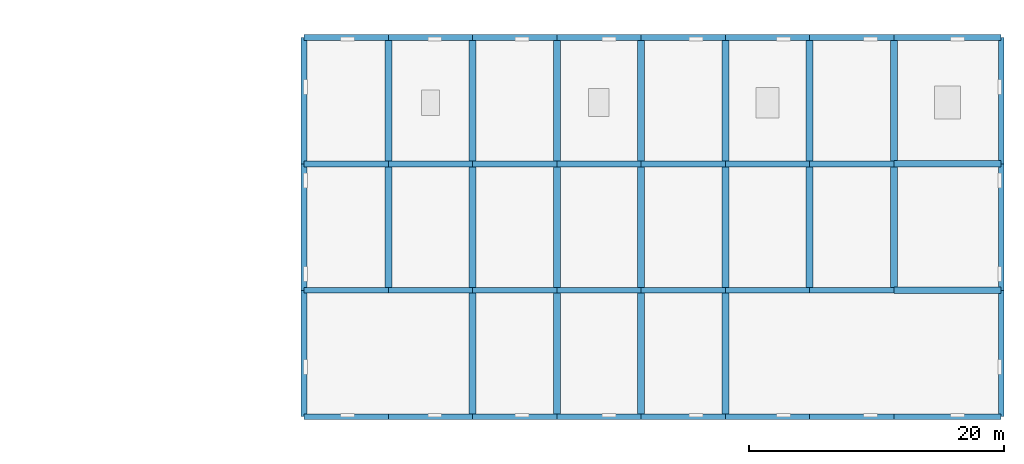
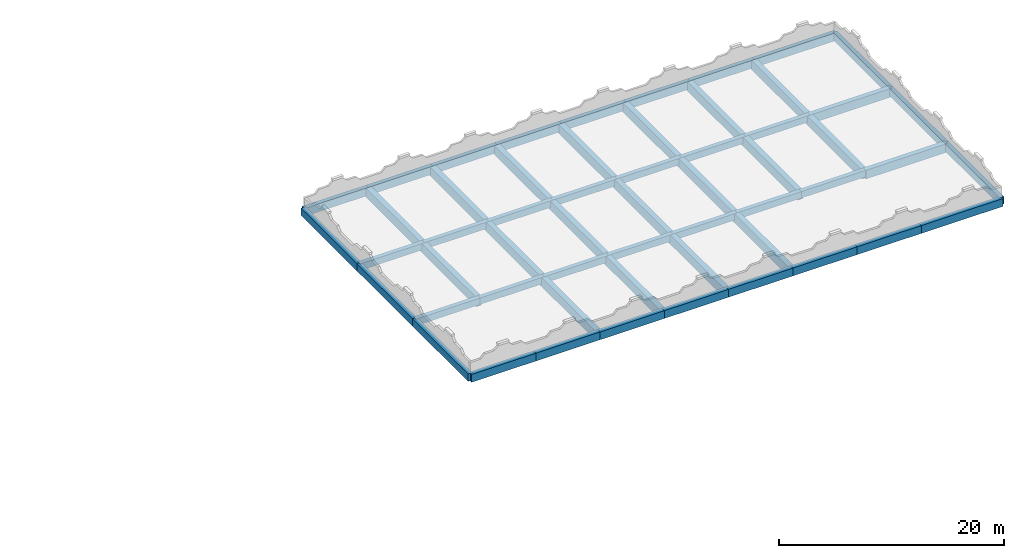
# One storey, part 6 of 20: 56 beams.
"""IFC4 building model written with IfcOpenShell, lengths in metres."""

from ifc_helpers import new_model, si_unit, direction, frame, origin, origin_2d, place, context, subcontext, project, spatial, rectangle, extrude, material, material_profile, profile_set, type_object, element, save


model = new_model("IFC4")

# Units and contexts
model_context = context("Model", 3, precision=1e-05, world=origin(), true_north=direction((0.0, 1.0)))
body_context = subcontext(model_context, "Body", "Model", "MODEL_VIEW")
ifc_project = project(units=[si_unit("LENGTHUNIT", "METRE"), si_unit("AREAUNIT", "SQUARE_METRE"), si_unit("VOLUMEUNIT", "CUBIC_METRE"), si_unit("PLANEANGLEUNIT", "RADIAN"), si_unit("MASSUNIT", "GRAM", prefix="KILO")], contexts=[model_context])

# Site, building, storey
site_placement = place(None, origin())
site = spatial("IfcSite", under=ifc_project, at=site_placement, CompositionType="ELEMENT")
building_placement = place(site_placement, origin())
building = spatial("IfcBuilding", under=site, at=building_placement, Name="Dornvale Research Institute", CompositionType="ELEMENT")
storey_placement = place(building_placement, frame((0.0, 0.0, 34.199951171875)))
storey = spatial("IfcBuildingStorey", under=building, at=storey_placement, Name="L07", CompositionType="ELEMENT", Elevation=34.199951171875)

# Beams
ifc_material_1 = material(Name="Concrete f'c 45 MPa (C35/45)", Category="concrete")
ifc_material_profile_1 = material_profile(ifc_material_1, rectangle(XDim=0.449951171875, YDim=0.715087890625, at=origin_2d()), Name="RC 450x715")
ifc_profile_set_1 = profile_set([ifc_material_profile_1], Name="Concrete f'c 45 MPa (C35/45)")
beam_type_1 = type_object("IfcBeamType", Name="Beam_RC450x715_Lab", PredefinedType="BEAM", material=ifc_profile_set_1)
beam_1_placement = place(storey_placement, frame((118.800048828125, 102.300048828125, -0.357421875), z_axis=(1.0, 0.0, 0.0), x_axis=(0.0, 1.0, 0.0)))
element("IfcBeam", 1, at=beam_1_placement, inside=storey, type_object=beam_type_1, Name="L07 primary girder #1611", PredefinedType="BEAM", context=body_context, shape_type="SweptSolid", body=[
    extrude(rectangle(XDim=0.449951171875, YDim=0.715087890625, at=origin_2d()), origin(), (0.0, 0.0, 1.0), 6.599853515625),
])
for number, where, z_axis, x_axis, name in (
    (2, (125.39990234375, 102.300048828125, -0.357421875), (1.0, 0.0, 0.0), (0.0, 1.0, 0.0), "L07 primary girder #1612"),
    (3, (132.0, 102.300048828125, -0.357421875), (1.0, 0.0, 0.0), (0.0, 1.0, 0.0), "L07 primary girder #1613"),
):
    element("IfcBeam", number, at=place(storey_placement, frame(where, z_axis=z_axis, x_axis=x_axis)), inside=storey, type_object=beam_type_1, Name=name, PredefinedType="BEAM", context=body_context, shape_type="SweptSolid", body=[
        extrude(rectangle(XDim=0.449951171875, YDim=0.715087890625, at=origin_2d()), origin(), (0.0, 0.0, 1.0), 6.60009765625),
    ])
beam_2_placement = place(storey_placement, frame((138.60009765625, 102.300048828125, -0.357421875), z_axis=(1.0, 0.0, 0.0), x_axis=(0.0, 1.0, 0.0)))
element("IfcBeam", 4, at=beam_2_placement, inside=storey, type_object=beam_type_1, Name="L07 primary girder #1614", PredefinedType="BEAM", context=body_context, shape_type="SweptSolid", body=[
    extrude(rectangle(XDim=0.449951171875, YDim=0.715087890625, at=origin_2d()), origin(), (0.0, 0.0, 1.0), 6.599853515625),
])
beam_3_placement = place(storey_placement, frame((145.199951171875, 102.300048828125, -0.357421875), z_axis=(1.0, 0.0, 0.0), x_axis=(0.0, 1.0, 0.0)))
element("IfcBeam", 5, at=beam_3_placement, inside=storey, type_object=beam_type_1, Name="L07 primary girder #1615", PredefinedType="BEAM", context=body_context, shape_type="SweptSolid", body=[
    extrude(rectangle(XDim=0.449951171875, YDim=0.715087890625, at=origin_2d()), origin(), (0.0, 0.0, 1.0), 6.60009765625),
])
beam_4_placement = place(storey_placement, frame((151.800048828125, 102.300048828125, -0.357421875), z_axis=(1.0, 0.0, 0.0), x_axis=(0.0, 1.0, 0.0)))
element("IfcBeam", 6, at=beam_4_placement, inside=storey, type_object=beam_type_1, Name="L07 primary girder #1616", PredefinedType="BEAM", context=body_context, shape_type="SweptSolid", body=[
    extrude(rectangle(XDim=0.449951171875, YDim=0.715087890625, at=origin_2d()), origin(), (0.0, 0.0, 1.0), 6.599853515625),
])
beam_5_placement = place(storey_placement, frame((158.39990234375, 102.300048828125, -0.357421875), z_axis=(1.0, 0.0, 0.0), x_axis=(0.0, 1.0, 0.0)))
element("IfcBeam", 7, at=beam_5_placement, inside=storey, type_object=beam_type_1, Name="L07 primary girder #1617", PredefinedType="BEAM", context=body_context, shape_type="SweptSolid", body=[
    extrude(rectangle(XDim=0.449951171875, YDim=0.715087890625, at=origin_2d()), origin(), (0.0, 0.0, 1.0), 6.60009765625),
])
beam_6_placement = place(storey_placement, frame((118.800048828125, 112.199951171875, -0.357421875), z_axis=(1.0, 0.0, 0.0), x_axis=(0.0, 1.0, 0.0)))
element("IfcBeam", 8, at=beam_6_placement, inside=storey, type_object=beam_type_1, Name="L07 primary girder #1619", PredefinedType="BEAM", context=body_context, shape_type="SweptSolid", body=[
    extrude(rectangle(XDim=0.449951171875, YDim=0.715087890625, at=origin_2d()), origin(), (0.0, 0.0, 1.0), 6.599853515625),
])
for number, where, z_axis, x_axis, name in (
    (9, (125.39990234375, 112.199951171875, -0.357421875), (1.0, 0.0, 0.0), (0.0, 1.0, 0.0), "L07 primary girder #1620"),
    (10, (132.0, 112.199951171875, -0.357421875), (1.0, 0.0, 0.0), (0.0, 1.0, 0.0), "L07 primary girder #1621"),
):
    element("IfcBeam", number, at=place(storey_placement, frame(where, z_axis=z_axis, x_axis=x_axis)), inside=storey, type_object=beam_type_1, Name=name, PredefinedType="BEAM", context=body_context, shape_type="SweptSolid", body=[
        extrude(rectangle(XDim=0.449951171875, YDim=0.715087890625, at=origin_2d()), origin(), (0.0, 0.0, 1.0), 6.60009765625),
    ])
beam_7_placement = place(storey_placement, frame((138.60009765625, 112.199951171875, -0.357421875), z_axis=(1.0, 0.0, 0.0), x_axis=(0.0, 1.0, 0.0)))
element("IfcBeam", 11, at=beam_7_placement, inside=storey, type_object=beam_type_1, Name="L07 primary girder #1622", PredefinedType="BEAM", context=body_context, shape_type="SweptSolid", body=[
    extrude(rectangle(XDim=0.449951171875, YDim=0.715087890625, at=origin_2d()), origin(), (0.0, 0.0, 1.0), 6.599853515625),
])
beam_8_placement = place(storey_placement, frame((145.199951171875, 112.199951171875, -0.357421875), z_axis=(1.0, 0.0, 0.0), x_axis=(0.0, 1.0, 0.0)))
element("IfcBeam", 12, at=beam_8_placement, inside=storey, type_object=beam_type_1, Name="L07 primary girder #1623", PredefinedType="BEAM", context=body_context, shape_type="SweptSolid", body=[
    extrude(rectangle(XDim=0.449951171875, YDim=0.715087890625, at=origin_2d()), origin(), (0.0, 0.0, 1.0), 6.60009765625),
])
beam_9_placement = place(storey_placement, frame((151.800048828125, 112.199951171875, -0.357421875), z_axis=(1.0, 0.0, 0.0), x_axis=(0.0, 1.0, 0.0)))
element("IfcBeam", 13, at=beam_9_placement, inside=storey, type_object=beam_type_1, Name="L07 primary girder #1624", PredefinedType="BEAM", context=body_context, shape_type="SweptSolid", body=[
    extrude(rectangle(XDim=0.449951171875, YDim=0.715087890625, at=origin_2d()), origin(), (0.0, 0.0, 1.0), 6.599853515625),
])
beam_10_placement = place(storey_placement, frame((158.39990234375, 112.199951171875, -0.357421875), z_axis=(1.0, 0.0, 0.0), x_axis=(0.0, 1.0, 0.0)))
element("IfcBeam", 14, at=beam_10_placement, inside=storey, type_object=beam_type_1, Name="L07 primary girder #1625", PredefinedType="BEAM", context=body_context, shape_type="SweptSolid", body=[
    extrude(rectangle(XDim=0.449951171875, YDim=0.715087890625, at=origin_2d()), origin(), (0.0, 0.0, 1.0), 6.60009765625),
])
ifc_material_2 = material(Name="Concrete f'c 45 MPa (C35/45)", Category="concrete")
ifc_material_profile_2 = material_profile(ifc_material_2, rectangle(XDim=0.5, YDim=0.949951171875, at=origin_2d()), Name="RC 500x950")
ifc_profile_set_2 = profile_set([ifc_material_profile_2], Name="Concrete f'c 45 MPa (C35/45)")
beam_type_2 = type_object("IfcBeamType", Name="Beam_RC500x950_Girder", PredefinedType="BEAM", material=ifc_profile_set_2)
for number, where, z_axis, x_axis, name in (
    (15, (165.0, 102.300048828125, -0.474853515625), (1.0, 0.0, 0.0), (0.0, 1.0, 0.0), "L07 primary girder #1618"),
    (16, (165.0, 112.199951171875, -0.474853515625), (1.0, 0.0, 0.0), (0.0, 1.0, 0.0), "L07 primary girder #1626"),
):
    element("IfcBeam", number, at=place(storey_placement, frame(where, z_axis=z_axis, x_axis=x_axis)), inside=storey, type_object=beam_type_2, Name=name, PredefinedType="BEAM", context=body_context, shape_type="SweptSolid", body=[
        extrude(rectangle(XDim=0.5, YDim=0.949951171875, at=origin_2d()), origin(), (0.0, 0.0, 1.0), 8.39990234375),
    ])
ifc_material_3 = material(Name="Concrete f'c 45 MPa (C35/45)", Category="concrete")
ifc_material_profile_3 = material_profile(ifc_material_3, rectangle(XDim=0.550048828125, YDim=1.0, at=origin_2d()), Name="RC 550x1000")
ifc_profile_set_3 = profile_set([ifc_material_profile_3], Name="Concrete f'c 45 MPa (C35/45)")
beam_type_3 = type_object("IfcBeamType", Name="Beam_RC550x1000_Girder", PredefinedType="BEAM", material=ifc_profile_set_3)
beam_11_placement = place(storey_placement, frame((125.39990234375, 102.300048828125, -0.5), z_axis=(0.0, 1.0, 0.0), x_axis=(-1.0, 0.0, 0.0)))
element("IfcBeam", 17, at=beam_11_placement, inside=storey, type_object=beam_type_3, Name="L07 transverse girder #1638", PredefinedType="BEAM", context=body_context, shape_type="SweptSolid", body=[
    extrude(rectangle(XDim=0.550048828125, YDim=1.0, at=origin_2d()), origin(), (0.0, 0.0, 1.0), 9.89990234375),
])
for number, where, z_axis, x_axis, name in (
    (18, (125.39990234375, 112.199951171875, -0.5), (0.0, 1.0, 0.0), (-1.0, 0.0, 0.0), "L07 transverse girder #1639"),
    (19, (132.0, 92.39990234375, -0.5), (0.0, 1.0, 0.0), (-1.0, 0.0, 0.0), "L07 transverse girder #1640"),
):
    element("IfcBeam", number, at=place(storey_placement, frame(where, z_axis=z_axis, x_axis=x_axis)), inside=storey, type_object=beam_type_3, Name=name, PredefinedType="BEAM", context=body_context, shape_type="SweptSolid", body=[
        extrude(rectangle(XDim=0.550048828125, YDim=1.0, at=origin_2d()), origin(), (0.0, 0.0, 1.0), 9.900146484375),
    ])
beam_12_placement = place(storey_placement, frame((132.0, 102.300048828125, -0.5), z_axis=(0.0, 1.0, 0.0), x_axis=(-1.0, 0.0, 0.0)))
element("IfcBeam", 20, at=beam_12_placement, inside=storey, type_object=beam_type_3, Name="L07 transverse girder #1641", PredefinedType="BEAM", context=body_context, shape_type="SweptSolid", body=[
    extrude(rectangle(XDim=0.550048828125, YDim=1.0, at=origin_2d()), origin(), (0.0, 0.0, 1.0), 9.89990234375),
])
for number, where, z_axis, x_axis, name in (
    (21, (132.0, 112.199951171875, -0.5), (0.0, 1.0, 0.0), (-1.0, 0.0, 0.0), "L07 transverse girder #1642"),
    (22, (138.60009765625, 92.39990234375, -0.5), (0.0, 1.0, 0.0), (-1.0, 0.0, 0.0), "L07 transverse girder #1643"),
):
    element("IfcBeam", number, at=place(storey_placement, frame(where, z_axis=z_axis, x_axis=x_axis)), inside=storey, type_object=beam_type_3, Name=name, PredefinedType="BEAM", context=body_context, shape_type="SweptSolid", body=[
        extrude(rectangle(XDim=0.550048828125, YDim=1.0, at=origin_2d()), origin(), (0.0, 0.0, 1.0), 9.900146484375),
    ])
beam_13_placement = place(storey_placement, frame((138.60009765625, 102.300048828125, -0.5), z_axis=(0.0, 1.0, 0.0), x_axis=(-1.0, 0.0, 0.0)))
element("IfcBeam", 23, at=beam_13_placement, inside=storey, type_object=beam_type_3, Name="L07 transverse girder #1644", PredefinedType="BEAM", context=body_context, shape_type="SweptSolid", body=[
    extrude(rectangle(XDim=0.550048828125, YDim=1.0, at=origin_2d()), origin(), (0.0, 0.0, 1.0), 9.89990234375),
])
for number, where, z_axis, x_axis, name in (
    (24, (138.60009765625, 112.199951171875, -0.5), (0.0, 1.0, 0.0), (-1.0, 0.0, 0.0), "L07 transverse girder #1645"),
    (25, (145.199951171875, 92.39990234375, -0.5), (0.0, 1.0, 0.0), (-1.0, 0.0, 0.0), "L07 transverse girder #1646"),
):
    element("IfcBeam", number, at=place(storey_placement, frame(where, z_axis=z_axis, x_axis=x_axis)), inside=storey, type_object=beam_type_3, Name=name, PredefinedType="BEAM", context=body_context, shape_type="SweptSolid", body=[
        extrude(rectangle(XDim=0.550048828125, YDim=1.0, at=origin_2d()), origin(), (0.0, 0.0, 1.0), 9.900146484375),
    ])
beam_14_placement = place(storey_placement, frame((145.199951171875, 102.300048828125, -0.5), z_axis=(0.0, 1.0, 0.0), x_axis=(-1.0, 0.0, 0.0)))
element("IfcBeam", 26, at=beam_14_placement, inside=storey, type_object=beam_type_3, Name="L07 transverse girder #1647", PredefinedType="BEAM", context=body_context, shape_type="SweptSolid", body=[
    extrude(rectangle(XDim=0.550048828125, YDim=1.0, at=origin_2d()), origin(), (0.0, 0.0, 1.0), 9.89990234375),
])
for number, where, z_axis, x_axis, name in (
    (27, (145.199951171875, 112.199951171875, -0.5), (0.0, 1.0, 0.0), (-1.0, 0.0, 0.0), "L07 transverse girder #1648"),
    (28, (151.800048828125, 92.39990234375, -0.5), (0.0, 1.0, 0.0), (-1.0, 0.0, 0.0), "L07 transverse girder #1649"),
):
    element("IfcBeam", number, at=place(storey_placement, frame(where, z_axis=z_axis, x_axis=x_axis)), inside=storey, type_object=beam_type_3, Name=name, PredefinedType="BEAM", context=body_context, shape_type="SweptSolid", body=[
        extrude(rectangle(XDim=0.550048828125, YDim=1.0, at=origin_2d()), origin(), (0.0, 0.0, 1.0), 9.900146484375),
    ])
beam_15_placement = place(storey_placement, frame((151.800048828125, 102.300048828125, -0.5), z_axis=(0.0, 1.0, 0.0), x_axis=(-1.0, 0.0, 0.0)))
element("IfcBeam", 29, at=beam_15_placement, inside=storey, type_object=beam_type_3, Name="L07 transverse girder #1650", PredefinedType="BEAM", context=body_context, shape_type="SweptSolid", body=[
    extrude(rectangle(XDim=0.550048828125, YDim=1.0, at=origin_2d()), origin(), (0.0, 0.0, 1.0), 9.89990234375),
])
beam_16_placement = place(storey_placement, frame((151.800048828125, 112.199951171875, -0.5), z_axis=(0.0, 1.0, 0.0), x_axis=(-1.0, 0.0, 0.0)))
element("IfcBeam", 30, at=beam_16_placement, inside=storey, type_object=beam_type_3, Name="L07 transverse girder #1651", PredefinedType="BEAM", context=body_context, shape_type="SweptSolid", body=[
    extrude(rectangle(XDim=0.550048828125, YDim=1.0, at=origin_2d()), origin(), (0.0, 0.0, 1.0), 9.900146484375),
])
beam_17_placement = place(storey_placement, frame((158.39990234375, 102.300048828125, -0.5), z_axis=(0.0, 1.0, 0.0), x_axis=(-1.0, 0.0, 0.0)))
element("IfcBeam", 31, at=beam_17_placement, inside=storey, type_object=beam_type_3, Name="L07 transverse girder #1652", PredefinedType="BEAM", context=body_context, shape_type="SweptSolid", body=[
    extrude(rectangle(XDim=0.550048828125, YDim=1.0, at=origin_2d()), origin(), (0.0, 0.0, 1.0), 9.89990234375),
])
beam_18_placement = place(storey_placement, frame((158.39990234375, 112.199951171875, -0.5), z_axis=(0.0, 1.0, 0.0), x_axis=(-1.0, 0.0, 0.0)))
element("IfcBeam", 32, at=beam_18_placement, inside=storey, type_object=beam_type_3, Name="L07 transverse girder #1653", PredefinedType="BEAM", context=body_context, shape_type="SweptSolid", body=[
    extrude(rectangle(XDim=0.550048828125, YDim=1.0, at=origin_2d()), origin(), (0.0, 0.0, 1.0), 9.900146484375),
])
beam_19_placement = place(storey_placement, frame((165.0, 102.300048828125, -0.5), z_axis=(0.0, 1.0, 0.0), x_axis=(-1.0, 0.0, 0.0)))
element("IfcBeam", 33, at=beam_19_placement, inside=storey, type_object=beam_type_3, Name="L07 transverse girder #1654", PredefinedType="BEAM", context=body_context, shape_type="SweptSolid", body=[
    extrude(rectangle(XDim=0.550048828125, YDim=1.0, at=origin_2d()), origin(), (0.0, 0.0, 1.0), 9.89990234375),
])
beam_20_placement = place(storey_placement, frame((165.0, 112.199951171875, -0.5), z_axis=(0.0, 1.0, 0.0), x_axis=(-1.0, 0.0, 0.0)))
element("IfcBeam", 34, at=beam_20_placement, inside=storey, type_object=beam_type_3, Name="L07 transverse girder #1655", PredefinedType="BEAM", context=body_context, shape_type="SweptSolid", body=[
    extrude(rectangle(XDim=0.550048828125, YDim=1.0, at=origin_2d()), origin(), (0.0, 0.0, 1.0), 9.900146484375),
])
ifc_material_4 = material(Name="Concrete f'c 45 MPa (C35/45)", Category="concrete")
ifc_material_profile_4 = material_profile(ifc_material_4, rectangle(XDim=0.449951171875, YDim=0.800048828125, at=origin_2d()), Name="RC 450x800")
ifc_profile_set_4 = profile_set([ifc_material_profile_4], Name="Concrete f'c 45 MPa (C35/45)")
beam_type_4 = type_object("IfcBeamType", Name="Spandrel_RC450x800_Ext", PredefinedType="SPANDREL", material=ifc_profile_set_4)
beam_21_placement = place(storey_placement, frame((118.800048828125, 92.39990234375, -0.39990234375), z_axis=(0.0, 1.0, 0.0), x_axis=(-1.0, 0.0, 0.0)))
element("IfcBeam", 35, at=beam_21_placement, inside=storey, type_object=beam_type_4, Name="L07 perimeter spandrel #1635", PredefinedType="SPANDREL", context=body_context, shape_type="SweptSolid", body=[
    extrude(rectangle(XDim=0.449951171875, YDim=0.800048828125, at=origin_2d()), origin(), (0.0, 0.0, 1.0), 9.900146484375),
])
beam_22_placement = place(storey_placement, frame((118.800048828125, 102.300048828125, -0.39990234375), z_axis=(0.0, 1.0, 0.0), x_axis=(-1.0, 0.0, 0.0)))
element("IfcBeam", 36, at=beam_22_placement, inside=storey, type_object=beam_type_4, Name="L07 perimeter spandrel #1636", PredefinedType="SPANDREL", context=body_context, shape_type="SweptSolid", body=[
    extrude(rectangle(XDim=0.449951171875, YDim=0.800048828125, at=origin_2d()), origin(), (0.0, 0.0, 1.0), 9.89990234375),
])
for number, where, z_axis, x_axis, name in (
    (37, (118.800048828125, 112.199951171875, -0.39990234375), (0.0, 1.0, 0.0), (-1.0, 0.0, 0.0), "L07 perimeter spandrel #1637"),
    (38, (173.39990234375, 92.39990234375, -0.39990234375), (0.0, 1.0, 0.0), (-1.0, 0.0, 0.0), "L07 perimeter spandrel #1656"),
):
    element("IfcBeam", number, at=place(storey_placement, frame(where, z_axis=z_axis, x_axis=x_axis)), inside=storey, type_object=beam_type_4, Name=name, PredefinedType="SPANDREL", context=body_context, shape_type="SweptSolid", body=[
        extrude(rectangle(XDim=0.449951171875, YDim=0.800048828125, at=origin_2d()), origin(), (0.0, 0.0, 1.0), 9.900146484375),
    ])
beam_23_placement = place(storey_placement, frame((173.39990234375, 102.300048828125, -0.39990234375), z_axis=(0.0, 1.0, 0.0), x_axis=(-1.0, 0.0, 0.0)))
element("IfcBeam", 39, at=beam_23_placement, inside=storey, type_object=beam_type_4, Name="L07 perimeter spandrel #1657", PredefinedType="SPANDREL", context=body_context, shape_type="SweptSolid", body=[
    extrude(rectangle(XDim=0.449951171875, YDim=0.800048828125, at=origin_2d()), origin(), (0.0, 0.0, 1.0), 9.89990234375),
])
beam_24_placement = place(storey_placement, frame((173.39990234375, 112.199951171875, -0.39990234375), z_axis=(0.0, 1.0, 0.0), x_axis=(-1.0, 0.0, 0.0)))
element("IfcBeam", 40, at=beam_24_placement, inside=storey, type_object=beam_type_4, Name="L07 perimeter spandrel #1658", PredefinedType="SPANDREL", context=body_context, shape_type="SweptSolid", body=[
    extrude(rectangle(XDim=0.449951171875, YDim=0.800048828125, at=origin_2d()), origin(), (0.0, 0.0, 1.0), 9.900146484375),
])
ifc_material_5 = material(Name="Concrete f'c 45 MPa (C35/45)", Category="concrete")
ifc_material_profile_5 = material_profile(ifc_material_5, rectangle(XDim=0.449951171875, YDim=0.85009765625, at=origin_2d()), Name="RC 450x850")
ifc_profile_set_5 = profile_set([ifc_material_profile_5], Name="Concrete f'c 45 MPa (C35/45)")
beam_type_5 = type_object("IfcBeamType", Name="Spandrel_RC450x850_Ext", PredefinedType="SPANDREL", material=ifc_profile_set_5)
beam_25_placement = place(storey_placement, frame((118.800048828125, 92.39990234375, -0.425048828125), z_axis=(1.0, 0.0, 0.0), x_axis=(0.0, 1.0, 0.0)))
element("IfcBeam", 41, at=beam_25_placement, inside=storey, type_object=beam_type_5, Name="L07 perimeter spandrel #1603", PredefinedType="SPANDREL", context=body_context, shape_type="SweptSolid", body=[
    extrude(rectangle(XDim=0.449951171875, YDim=0.85009765625, at=origin_2d()), origin(), (0.0, 0.0, 1.0), 6.599853515625),
])
for number, where, z_axis, x_axis, name in (
    (42, (125.39990234375, 92.39990234375, -0.425048828125), (1.0, 0.0, 0.0), (0.0, 1.0, 0.0), "L07 perimeter spandrel #1604"),
    (43, (132.0, 92.39990234375, -0.425048828125), (1.0, 0.0, 0.0), (0.0, 1.0, 0.0), "L07 perimeter spandrel #1605"),
):
    element("IfcBeam", number, at=place(storey_placement, frame(where, z_axis=z_axis, x_axis=x_axis)), inside=storey, type_object=beam_type_5, Name=name, PredefinedType="SPANDREL", context=body_context, shape_type="SweptSolid", body=[
        extrude(rectangle(XDim=0.449951171875, YDim=0.85009765625, at=origin_2d()), origin(), (0.0, 0.0, 1.0), 6.60009765625),
    ])
beam_26_placement = place(storey_placement, frame((138.60009765625, 92.39990234375, -0.425048828125), z_axis=(1.0, 0.0, 0.0), x_axis=(0.0, 1.0, 0.0)))
element("IfcBeam", 44, at=beam_26_placement, inside=storey, type_object=beam_type_5, Name="L07 perimeter spandrel #1606", PredefinedType="SPANDREL", context=body_context, shape_type="SweptSolid", body=[
    extrude(rectangle(XDim=0.449951171875, YDim=0.85009765625, at=origin_2d()), origin(), (0.0, 0.0, 1.0), 6.599853515625),
])
beam_27_placement = place(storey_placement, frame((145.199951171875, 92.39990234375, -0.425048828125), z_axis=(1.0, 0.0, 0.0), x_axis=(0.0, 1.0, 0.0)))
element("IfcBeam", 45, at=beam_27_placement, inside=storey, type_object=beam_type_5, Name="L07 perimeter spandrel #1607", PredefinedType="SPANDREL", context=body_context, shape_type="SweptSolid", body=[
    extrude(rectangle(XDim=0.449951171875, YDim=0.85009765625, at=origin_2d()), origin(), (0.0, 0.0, 1.0), 6.60009765625),
])
beam_28_placement = place(storey_placement, frame((151.800048828125, 92.39990234375, -0.425048828125), z_axis=(1.0, 0.0, 0.0), x_axis=(0.0, 1.0, 0.0)))
element("IfcBeam", 46, at=beam_28_placement, inside=storey, type_object=beam_type_5, Name="L07 perimeter spandrel #1608", PredefinedType="SPANDREL", context=body_context, shape_type="SweptSolid", body=[
    extrude(rectangle(XDim=0.449951171875, YDim=0.85009765625, at=origin_2d()), origin(), (0.0, 0.0, 1.0), 6.599853515625),
])
beam_29_placement = place(storey_placement, frame((158.39990234375, 92.39990234375, -0.425048828125), z_axis=(1.0, 0.0, 0.0), x_axis=(0.0, 1.0, 0.0)))
element("IfcBeam", 47, at=beam_29_placement, inside=storey, type_object=beam_type_5, Name="L07 perimeter spandrel #1609", PredefinedType="SPANDREL", context=body_context, shape_type="SweptSolid", body=[
    extrude(rectangle(XDim=0.449951171875, YDim=0.85009765625, at=origin_2d()), origin(), (0.0, 0.0, 1.0), 6.60009765625),
])
beam_30_placement = place(storey_placement, frame((165.0, 92.39990234375, -0.425048828125), z_axis=(1.0, 0.0, 0.0), x_axis=(0.0, 1.0, 0.0)))
element("IfcBeam", 48, at=beam_30_placement, inside=storey, type_object=beam_type_5, Name="L07 perimeter spandrel #1610", PredefinedType="SPANDREL", context=body_context, shape_type="SweptSolid", body=[
    extrude(rectangle(XDim=0.449951171875, YDim=0.85009765625, at=origin_2d()), origin(), (0.0, 0.0, 1.0), 8.39990234375),
])
beam_31_placement = place(storey_placement, frame((118.800048828125, 122.10009765625, -0.425048828125), z_axis=(1.0, 0.0, 0.0), x_axis=(0.0, 1.0, 0.0)))
element("IfcBeam", 49, at=beam_31_placement, inside=storey, type_object=beam_type_5, Name="L07 perimeter spandrel #1627", PredefinedType="SPANDREL", context=body_context, shape_type="SweptSolid", body=[
    extrude(rectangle(XDim=0.449951171875, YDim=0.85009765625, at=origin_2d()), origin(), (0.0, 0.0, 1.0), 6.599853515625),
])
for number, where, z_axis, x_axis, name in (
    (50, (125.39990234375, 122.10009765625, -0.425048828125), (1.0, 0.0, 0.0), (0.0, 1.0, 0.0), "L07 perimeter spandrel #1628"),
    (51, (132.0, 122.10009765625, -0.425048828125), (1.0, 0.0, 0.0), (0.0, 1.0, 0.0), "L07 perimeter spandrel #1629"),
):
    element("IfcBeam", number, at=place(storey_placement, frame(where, z_axis=z_axis, x_axis=x_axis)), inside=storey, type_object=beam_type_5, Name=name, PredefinedType="SPANDREL", context=body_context, shape_type="SweptSolid", body=[
        extrude(rectangle(XDim=0.449951171875, YDim=0.85009765625, at=origin_2d()), origin(), (0.0, 0.0, 1.0), 6.60009765625),
    ])
beam_32_placement = place(storey_placement, frame((138.60009765625, 122.10009765625, -0.425048828125), z_axis=(1.0, 0.0, 0.0), x_axis=(0.0, 1.0, 0.0)))
element("IfcBeam", 52, at=beam_32_placement, inside=storey, type_object=beam_type_5, Name="L07 perimeter spandrel #1630", PredefinedType="SPANDREL", context=body_context, shape_type="SweptSolid", body=[
    extrude(rectangle(XDim=0.449951171875, YDim=0.85009765625, at=origin_2d()), origin(), (0.0, 0.0, 1.0), 6.599853515625),
])
beam_33_placement = place(storey_placement, frame((145.199951171875, 122.10009765625, -0.425048828125), z_axis=(1.0, 0.0, 0.0), x_axis=(0.0, 1.0, 0.0)))
element("IfcBeam", 53, at=beam_33_placement, inside=storey, type_object=beam_type_5, Name="L07 perimeter spandrel #1631", PredefinedType="SPANDREL", context=body_context, shape_type="SweptSolid", body=[
    extrude(rectangle(XDim=0.449951171875, YDim=0.85009765625, at=origin_2d()), origin(), (0.0, 0.0, 1.0), 6.60009765625),
])
beam_34_placement = place(storey_placement, frame((151.800048828125, 122.10009765625, -0.425048828125), z_axis=(1.0, 0.0, 0.0), x_axis=(0.0, 1.0, 0.0)))
element("IfcBeam", 54, at=beam_34_placement, inside=storey, type_object=beam_type_5, Name="L07 perimeter spandrel #1632", PredefinedType="SPANDREL", context=body_context, shape_type="SweptSolid", body=[
    extrude(rectangle(XDim=0.449951171875, YDim=0.85009765625, at=origin_2d()), origin(), (0.0, 0.0, 1.0), 6.599853515625),
])
beam_35_placement = place(storey_placement, frame((158.39990234375, 122.10009765625, -0.425048828125), z_axis=(1.0, 0.0, 0.0), x_axis=(0.0, 1.0, 0.0)))
element("IfcBeam", 55, at=beam_35_placement, inside=storey, type_object=beam_type_5, Name="L07 perimeter spandrel #1633", PredefinedType="SPANDREL", context=body_context, shape_type="SweptSolid", body=[
    extrude(rectangle(XDim=0.449951171875, YDim=0.85009765625, at=origin_2d()), origin(), (0.0, 0.0, 1.0), 6.60009765625),
])
beam_36_placement = place(storey_placement, frame((165.0, 122.10009765625, -0.425048828125), z_axis=(1.0, 0.0, 0.0), x_axis=(0.0, 1.0, 0.0)))
element("IfcBeam", 56, at=beam_36_placement, inside=storey, type_object=beam_type_5, Name="L07 perimeter spandrel #1634", PredefinedType="SPANDREL", context=body_context, shape_type="SweptSolid", body=[
    extrude(rectangle(XDim=0.449951171875, YDim=0.85009765625, at=origin_2d()), origin(), (0.0, 0.0, 1.0), 8.39990234375),
])

save(model, "model.ifc")
